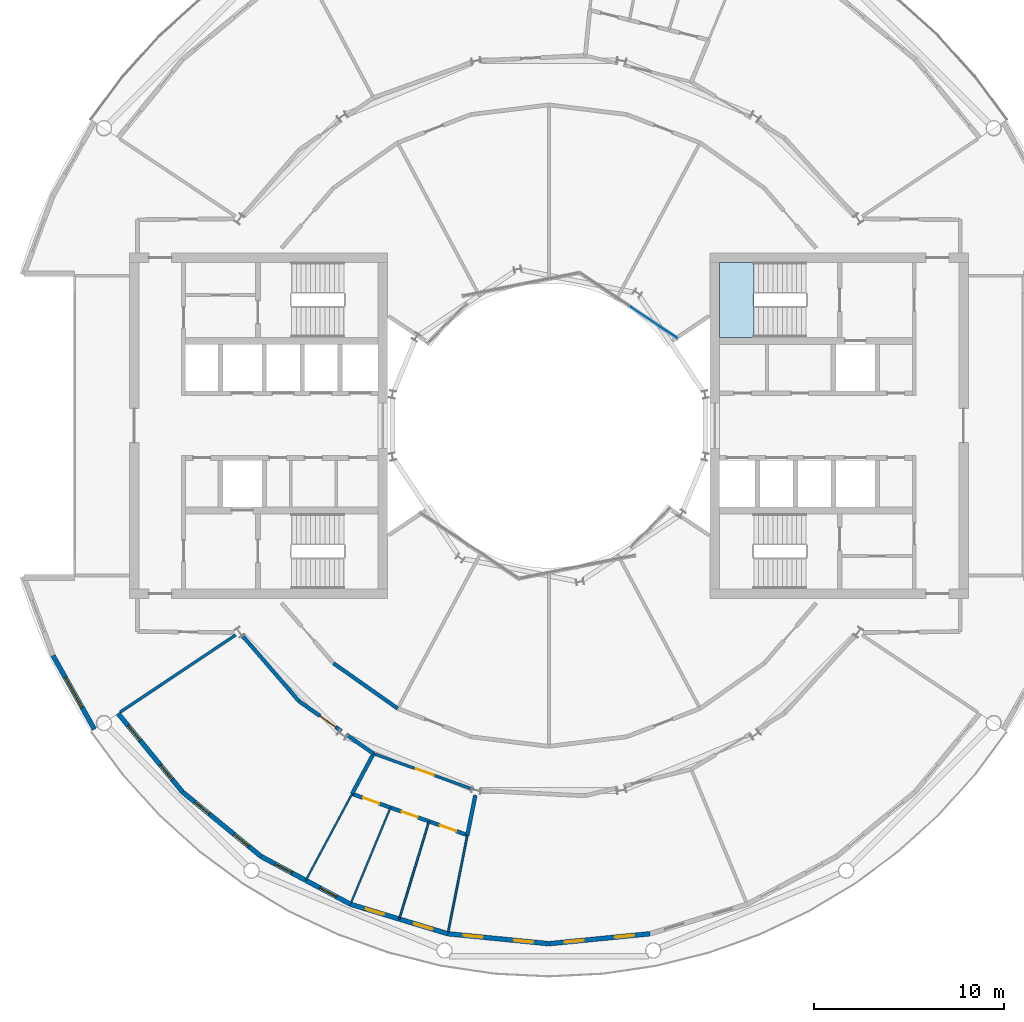
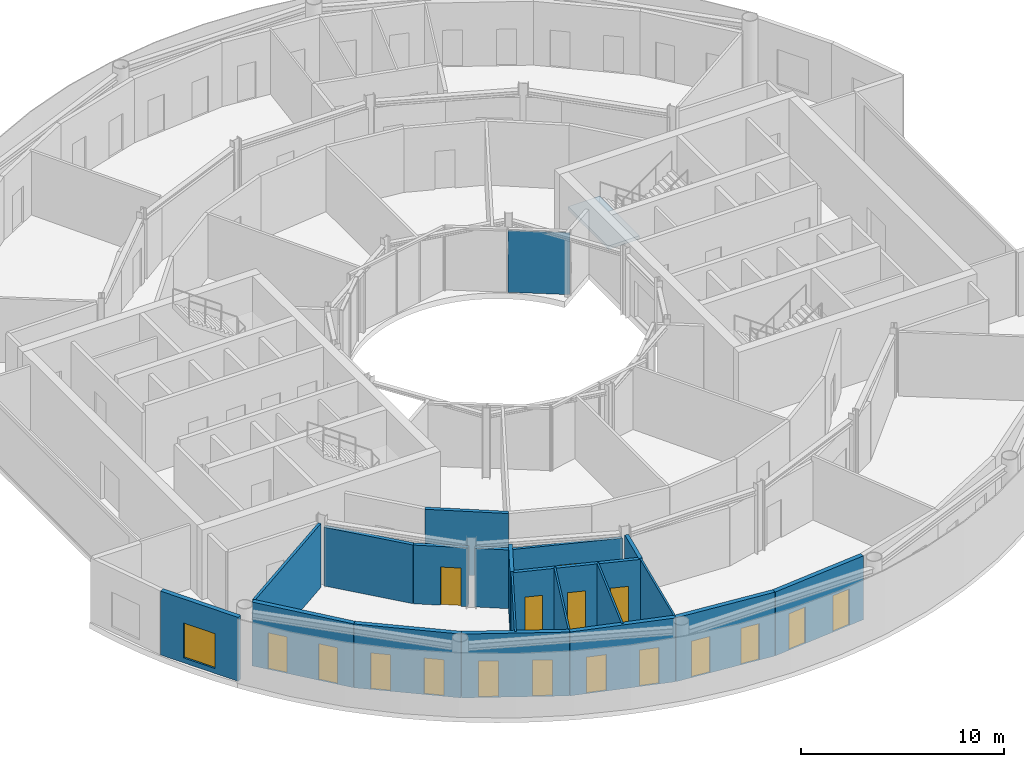
# One storey, part 12 of 21: 20 walls, 17 doors, 1 plate, 1 slab, 1 window, 18 openings, 2 elements without a shape of their own.
"""IFC4 building model written with IfcOpenShell, lengths in metres."""

import ifcopenshell
import ifcopenshell.guid

model = None  # the IFC model being written
_history = None  # IfcOwnerHistory: only IFC2X3 demands one
_inside = {}  # id of a spatial element -> (the spatial element, [elements in it])
_under = {}  # id of a project, library or spatial element -> (it, [spatial elements below it])
_declared = {}  # id of a project -> (the project, [libraries it declares])
_typed = {}  # id of a type object -> (the type object, [elements of that type])
_made_of = {}  # id of a material, layer set ... -> (it, [elements and type objects made of it])


def new_model(schema):
    """Start an empty IFC model of exactly this schema.

    Asked for "IFC4X3", IfcOpenShell would pick the latest addendum, in which some entities
    have other attributes; the version numbers below select the first issue.
    IFC2X3 requires an IfcOwnerHistory on every rooted entity: one is made here for all.
    """
    global model, _history
    if schema == "IFC4X3":
        model = ifcopenshell.file(schema_version=(4, 3, 0, 0))
    else:
        model = ifcopenshell.file(schema=schema)
    _inside.clear()
    _under.clear()
    _declared.clear()
    _typed.clear()
    _made_of.clear()
    _history = None
    if model.schema == "IFC2X3":
        org = make("IfcOrganization", Name="unknown")
        user = make(
            "IfcPersonAndOrganization",
            ThePerson=make("IfcPerson", FamilyName="unknown"),
            TheOrganization=org,
        )
        app = make(
            "IfcApplication",
            ApplicationDeveloper=org,
            Version="unknown",
            ApplicationFullName="unknown",
            ApplicationIdentifier="unknown",
        )
        _history = make(
            "IfcOwnerHistory",
            OwningUser=user,
            OwningApplication=app,
            ChangeAction="ADDED",
            CreationDate=0,
        )
    return model


def make(cls, **values):
    """One entity of the class cls with the attributes given. An attribute that is None is left unset."""
    return model.create_entity(
        cls, **{name: value for name, value in values.items() if value is not None}
    )


def rooted(cls, **values):
    """An entity with a GlobalId (a new one), such as an element, a storey or a relation."""
    return make(cls, GlobalId=ifcopenshell.guid.new(), OwnerHistory=_history, **values)


def si_unit(unit_type, name, prefix=None):
    """IfcSIUnit, for example si_unit("LENGTHUNIT", "METRE", prefix="MILLI")."""
    return make("IfcSIUnit", UnitType=unit_type, Prefix=prefix, Name=name)


def assignment(units):
    """IfcUnitAssignment: the units of a project."""
    return None if units is None else make("IfcUnitAssignment", Units=units)


def point(xyz):
    """IfcCartesianPoint."""
    return None if xyz is None else make("IfcCartesianPoint", Coordinates=xyz)


def direction(xyz):
    """IfcDirection."""
    return None if xyz is None else make("IfcDirection", DirectionRatios=xyz)


def frame(location, z_axis=None, x_axis=None):
    """IfcAxis2Placement3D, a coordinate frame: its origin and axes. An axis left out is left unset."""
    return make(
        "IfcAxis2Placement3D",
        Location=point(location),
        Axis=direction(z_axis),
        RefDirection=direction(x_axis),
    )


def frame_2d(location, x_axis=None):
    """IfcAxis2Placement2D, a coordinate frame in the plane: its origin and x axis."""
    return make(
        "IfcAxis2Placement2D", Location=point(location), RefDirection=direction(x_axis)
    )


def origin():
    """The frame at (0, 0, 0) with its axes left unset."""
    return frame((0.0, 0.0, 0.0))


def origin_2d():
    """The frame at (0, 0) in the plane with its x axis left unset."""
    return frame_2d((0.0, 0.0))


def place(relative_to, where):
    """IfcLocalPlacement: puts the frame where relative to a parent placement (None: the world)."""
    return make(
        "IfcLocalPlacement", PlacementRelTo=relative_to, RelativePlacement=where
    )


def context(
    kind, dimensions, precision=None, world=None, true_north=None, identifier=None
):
    """IfcGeometricRepresentationContext, for example the 3D "Model" context."""
    return make(
        "IfcGeometricRepresentationContext",
        ContextIdentifier=identifier,
        ContextType=kind,
        CoordinateSpaceDimension=dimensions,
        Precision=precision,
        WorldCoordinateSystem=world,
        TrueNorth=true_north,
    )


def subcontext(parent, identifier, kind, view, scale=None):
    """IfcGeometricRepresentationSubContext, for example "Body" below "Model"."""
    return make(
        "IfcGeometricRepresentationSubContext",
        ContextIdentifier=identifier,
        ContextType=kind,
        ParentContext=parent,
        TargetScale=scale,
        TargetView=view,
    )


def project(units=None, contexts=None):
    """IfcProject with its units and contexts."""
    return rooted(
        "IfcProject",
        Name="project",
        RepresentationContexts=contexts,
        UnitsInContext=assignment(units),
    )


def spatial(cls, under=None, at=None, **own):
    """A site, building, storey or space (cls), placed at a placement, below another one or the project."""
    s = rooted(cls, ObjectPlacement=at, **own)
    if under is not None:
        _under.setdefault(under.id(), (under, []))[1].append(s)
    return s


def polyline(points):
    """IfcPolyline through the points."""
    return make("IfcPolyline", Points=[point(p) for p in points])


def profile(cls, at=None, kind="AREA", **sizes):
    """A parametric profile (cls). Its sizes go by their IFC names, for example OverallWidth=200.0."""
    return make(cls, ProfileType=kind, Position=at, **sizes)


def rectangle(**sizes):
    """IfcRectangleProfileDef."""
    return profile("IfcRectangleProfileDef", **sizes)


def outline(outer, holes=None, kind="AREA"):
    """IfcArbitraryClosedProfileDef: a profile drawn as a closed curve; with holes, ...WithVoids."""
    if holes is None:
        return make("IfcArbitraryClosedProfileDef", ProfileType=kind, OuterCurve=outer)
    return make(
        "IfcArbitraryProfileDefWithVoids",
        ProfileType=kind,
        OuterCurve=outer,
        InnerCurves=holes,
    )


def extrude(swept, where, along, depth):
    """IfcExtrudedAreaSolid: the profile swept, set in the frame where, extruded along a direction by depth."""
    return make(
        "IfcExtrudedAreaSolid",
        SweptArea=swept,
        Position=where,
        ExtrudedDirection=direction(along),
        Depth=depth,
    )


def shape(context_of_items, identifier, shape_type, items):
    """IfcShapeRepresentation: the items that make up one representation, for example the "Body"."""
    return make(
        "IfcShapeRepresentation",
        ContextOfItems=context_of_items,
        RepresentationIdentifier=identifier,
        RepresentationType=shape_type,
        Items=items,
    )


def material(Name=None, Category=None):
    """IfcMaterial."""
    return make("IfcMaterial", Name=Name, Category=Category)


def layer(
    of_material, thickness, ventilated=None, Name=None, Category=None, Priority=None
):
    """IfcMaterialLayer: one layer of a wall or slab, of a material (None: an air gap)."""
    return make(
        "IfcMaterialLayer",
        Material=of_material,
        LayerThickness=thickness,
        IsVentilated=ventilated,
        Name=Name,
        Category=Category,
        Priority=Priority,
    )


def layer_set(layers, Name=None):
    """IfcMaterialLayerSet."""
    return make("IfcMaterialLayerSet", MaterialLayers=layers, LayerSetName=Name)


def made_of(thing, what):
    """Note that an element or type object is made of a material, layer set ...; save() writes the relation."""
    if what is not None:
        _made_of.setdefault(what.id(), (what, []))[1].append(thing)
    return thing


def type_object(cls, material=None, **own):
    """A type object (cls), such as IfcWallType, which elements share."""
    return made_of(rooted(cls, **own), material)


def element(
    cls,
    number,
    at=None,
    inside=None,
    cuts=None,
    type_object=None,
    material=None,
    context=None,
    identifier="Body",
    shape_type=None,
    held_by="IfcProductDefinitionShape",
    body=None,
    shapes=None,
    **own,
):
    """One element of the class cls, such as IfcWall. Its Tag is "e" and its number.

    at: its placement. inside: the storey or other place that contains it. cuts: it is an
    opening in that element (IfcRelVoidsElement). A single representation is given by context,
    identifier, shape_type and body (its items); several are given by shapes. held_by: the class
    of the entity that holds the representations. save() writes the other relations.
    """
    e = rooted(cls, Tag="e%d" % number, ObjectPlacement=at, **own)
    if body is not None:
        shapes = [shape(context, identifier, shape_type, body)]
    if shapes is not None:
        e.Representation = make(held_by, Representations=shapes)
    if inside is not None:
        _inside.setdefault(inside.id(), (inside, []))[1].append(e)
    if cuts is not None:
        rooted(
            "IfcRelVoidsElement", RelatingBuildingElement=cuts, RelatedOpeningElement=e
        )
    if type_object is not None:
        _typed.setdefault(type_object.id(), (type_object, []))[1].append(e)
    return made_of(e, material)


def fill(opening, filler):
    """IfcRelFillsElement: the door or window that sits in an opening."""
    return rooted(
        "IfcRelFillsElement",
        RelatingOpeningElement=opening,
        RelatedBuildingElement=filler,
    )


def aggregate(whole, parts):
    """IfcRelAggregates: a whole, such as a stair, and the parts it consists of."""
    return rooted("IfcRelAggregates", RelatingObject=whole, RelatedObjects=parts)


def save(model, path):
    """Write the relations noted so far, then the file.

    IfcRelAggregates (storeys below a building ...), IfcRelContainedInSpatialStructure (elements
    in a storey), IfcRelDefinesByType, IfcRelAssociatesMaterial and IfcRelDeclares: one each for
    every whole, place, type object, material and project.
    """
    for whole, parts in _under.values():
        aggregate(whole, parts)
    for where, things in _inside.values():
        rooted(
            "IfcRelContainedInSpatialStructure",
            RelatedElements=things,
            RelatingStructure=where,
        )
    for kind, things in _typed.values():
        rooted("IfcRelDefinesByType", RelatedObjects=things, RelatingType=kind)
    for what, things in _made_of.values():
        rooted("IfcRelAssociatesMaterial", RelatedObjects=things, RelatingMaterial=what)
    for by, libraries in _declared.values():
        rooted("IfcRelDeclares", RelatingContext=by, RelatedDefinitions=libraries)
    model.write(path)


model = new_model("IFC4")

# Units and contexts
model_context = context("Model", 3, precision=1e-05, world=origin(), true_north=direction((0.0, 1.0)))
body_context = subcontext(model_context, "Body", "Model", "MODEL_VIEW")
ifc_project = project(units=[si_unit("LENGTHUNIT", "METRE"), si_unit("AREAUNIT", "SQUARE_METRE"), si_unit("VOLUMEUNIT", "CUBIC_METRE"), si_unit("PLANEANGLEUNIT", "RADIAN"), si_unit("MASSUNIT", "GRAM", prefix="KILO")], contexts=[model_context])

# Site, building, storey
site_placement = place(None, origin())
site = spatial("IfcSite", under=ifc_project, at=site_placement, CompositionType="ELEMENT")
building_placement = place(site_placement, origin())
building = spatial("IfcBuilding", under=site, at=building_placement, Name="Maasbend Ring Residences", CompositionType="ELEMENT")
storey_placement = place(building_placement, frame((0.0, 0.0, 157.39990234375)))
storey = spatial("IfcBuildingStorey", under=building, at=storey_placement, Name="L45", CompositionType="ELEMENT", Elevation=157.39990234375)

# Stair, slab
ifc_material_1 = material(Name="Concrete C40/50", Category="concrete")
stair_type = type_object("IfcStairType", Name="CORE STAIR 24 RISERS", PredefinedType="HALF_TURN_STAIR", material=ifc_material_1)
stair_placement = place(storey_placement, origin())
stair = element("IfcStair", 1, at=stair_placement, inside=storey, type_object=stair_type, Name="L45 Exit stair ST-E1", PredefinedType="HALF_TURN_STAIR")
ifc_material_2 = material(Name="Concrete C40/50", Category="concrete")
ifc_layer_1 = layer(ifc_material_2, 0.199951171875)
ifc_layer_set_1 = layer_set([ifc_layer_1], Name="Concrete C40/50")
slab_type = type_object("IfcSlabType", Name="CORE STAIR LANDING 200", PredefinedType="LANDING", material=ifc_layer_set_1)
slab_placement = place(storey_placement, frame((0.0, 0.0, 1.900146484375)))
slab = element("IfcSlab", 2, at=slab_placement, type_object=slab_type, Name="ST-E1 landing 1", PredefinedType="LANDING", context=body_context, shape_type="SweptSolid", body=[
    extrude(outline(polyline([(10.800048828125, 8.60009765625), (9.0, 8.60009765625), (9.0, 4.64990234375), (10.800048828125, 4.64990234375), (10.800048828125, 8.60009765625)])), origin(), (0.0, 0.0, 1.0), 0.199951171875),
])
aggregate(stair, [slab])

# Curtain wall, plate
ifc_material_3 = material(Name="Aluminium and clear glass", Category="aluminium")
ifc_layer_2 = layer(ifc_material_3, 0.179931640625)
ifc_layer_set_2 = layer_set([ifc_layer_2], Name="CW-W")
curtain_wall_type = type_object("IfcCurtainWallType", Name="CW-W", PredefinedType="NOTDEFINED", material=ifc_layer_set_2)
curtain_wall_placement = place(storey_placement, origin())
curtain_wall = element("IfcCurtainWall", 3, at=curtain_wall_placement, inside=storey, type_object=curtain_wall_type, Name="Well curtain wall N1", PredefinedType="NOTDEFINED")
ifc_material_4 = material(Name="Glass clear laminated", Category="glass")
ifc_layer_3 = layer(ifc_material_4, 0.031982421875)
ifc_layer_set_3 = layer_set([ifc_layer_3], Name="CWP-W")
plate_type = type_object("IfcPlateType", Name="CWP-W", PredefinedType="CURTAIN_PANEL", material=ifc_layer_set_3)
plate_placement = place(storey_placement, frame((5.51123046875, 5.44580078125, 0.0), z_axis=(0.0, 0.0, 1.0), x_axis=(-0.831469612303, 0.55557023302, 0.0)))
plate = element("IfcPlate", 4, at=plate_placement, type_object=plate_type, Name="Glass panel well face", PredefinedType="CURTAIN_PANEL", context=body_context, shape_type="SweptSolid", body=[
    extrude(rectangle(XDim=3.053955078125, YDim=0.031982421875, at=origin_2d()), origin(), (0.0, 0.0, 1.0), 3.72998046875),
])
aggregate(curtain_wall, [plate])

# Wall, openings, doors
ifc_material_5 = material(Name="Concrete C30/37", Category="concrete")
ifc_layer_4 = layer(ifc_material_5, 0.199951171875)
ifc_layer_set_4 = layer_set([ifc_layer_4], Name="Concrete C30/37")
wall_type_1 = type_object("IfcWallType", Name="CORRIDOR WALL 200 CONCRETE", PredefinedType="PARTITIONING", material=ifc_layer_set_4)
wall_1_placement = place(storey_placement, frame((-10.373046875, -19.40087890625, 0.0), z_axis=(0.0, 0.0, 1.0), x_axis=(0.941534771306, -0.336915826909, 0.0)))
wall_1 = element("IfcWall", 5, at=wall_1_placement, inside=storey, type_object=wall_type_1, Name="U-L45-w001", PredefinedType="PARTITIONING", context=body_context, shape_type="SweptSolid", body=[
    extrude(rectangle(XDim=6.458740234375, YDim=0.199951171875, at=frame_2d((3.2294921875, 0.0))), origin(), (0.0, 0.0, 1.0), 3.85009765625),
])
opening_1_placement = place(wall_1_placement, frame((0.626953125, 0.0, 0.0)))
opening_1 = element("IfcOpeningElement", 6, at=opening_1_placement, cuts=wall_1, Name="Opening D-4506", PredefinedType="OPENING", context=body_context, shape_type="SweptSolid", body=[
    extrude(rectangle(XDim=0.89990234375, YDim=2.300048828125, at=frame_2d((0.449951171875, 1.14990234375))), frame((0.0, 0.10986328125, 0.0), z_axis=(0.0, -1.0, 0.0), x_axis=(1.0, 0.0, 0.0)), (0.0, 0.0, 1.0), 0.219970703125),
])
opening_2_placement = place(wall_1_placement, frame((2.781005859375, 0.0, 0.0)))
opening_2 = element("IfcOpeningElement", 7, at=opening_2_placement, cuts=wall_1, Name="Opening D-4507", PredefinedType="OPENING", context=body_context, shape_type="SweptSolid", body=[
    extrude(rectangle(XDim=0.89990234375, YDim=2.300048828125, at=frame_2d((0.449951171875, 1.14990234375))), frame((0.0, 0.10986328125, 0.0), z_axis=(0.0, -1.0, 0.0), x_axis=(1.0, 0.0, 0.0)), (0.0, 0.0, 1.0), 0.219970703125),
])
opening_3_placement = place(wall_1_placement, frame((4.93310546875, 0.0, 0.0)))
opening_3 = element("IfcOpeningElement", 8, at=opening_3_placement, cuts=wall_1, Name="Opening D-4508", PredefinedType="OPENING", context=body_context, shape_type="SweptSolid", body=[
    extrude(rectangle(XDim=0.89990234375, YDim=2.300048828125, at=frame_2d((0.449951171875, 1.14990234375))), frame((0.0, 0.10986328125, 0.0), z_axis=(0.0, -1.0, 0.0), x_axis=(1.0, 0.0, 0.0)), (0.0, 0.0, 1.0), 0.219970703125),
])
ifc_material_6 = material(Name="Timber, painted", Category="wood")
door_type_1 = type_object("IfcDoorType", Name="INTERNAL DOOR 900 X 2300", OperationType="NOTDEFINED", PredefinedType="DOOR", material=ifc_material_6)
door_1_placement = place(opening_1_placement, origin())
door_1 = element("IfcDoor", 9, at=door_1_placement, inside=storey, type_object=door_type_1, Name="D-4506", OperationType="SINGLE_SWING_LEFT", OverallHeight=2.300048828125, OverallWidth=0.89990234375, PredefinedType="DOOR", context=body_context, shape_type="SweptSolid", body=[
    extrude(rectangle(XDim=0.89990234375, YDim=2.300048828125, at=frame_2d((0.449951171875, 1.14990234375))), frame((0.0, 0.02490234375, 0.0), z_axis=(0.0, -1.0, 0.0), x_axis=(1.0, 0.0, 0.0)), (0.0, 0.0, 1.0), 0.050048828125),
])
fill(opening_1, door_1)
door_2_placement = place(opening_2_placement, origin())
door_2 = element("IfcDoor", 10, at=door_2_placement, inside=storey, type_object=door_type_1, Name="D-4507", OperationType="SINGLE_SWING_RIGHT", OverallHeight=2.300048828125, OverallWidth=0.89990234375, PredefinedType="DOOR", context=body_context, shape_type="SweptSolid", body=[
    extrude(rectangle(XDim=0.89990234375, YDim=2.300048828125, at=frame_2d((0.449951171875, 1.14990234375))), frame((0.0, 0.02490234375, 0.0), z_axis=(0.0, -1.0, 0.0), x_axis=(1.0, 0.0, 0.0)), (0.0, 0.0, 1.0), 0.050048828125),
])
fill(opening_2, door_2)
door_3_placement = place(opening_3_placement, origin())
door_3 = element("IfcDoor", 11, at=door_3_placement, inside=storey, type_object=door_type_1, Name="D-4508", OperationType="SINGLE_SWING_RIGHT", OverallHeight=2.300048828125, OverallWidth=0.89990234375, PredefinedType="DOOR", context=body_context, shape_type="SweptSolid", body=[
    extrude(rectangle(XDim=0.89990234375, YDim=2.300048828125, at=frame_2d((0.449951171875, 1.14990234375))), frame((0.0, 0.02490234375, 0.0), z_axis=(0.0, -1.0, 0.0), x_axis=(1.0, 0.0, 0.0)), (0.0, 0.0, 1.0), 0.050048828125),
])
fill(opening_3, door_3)

# Wall
wall_2_placement = place(storey_placement, frame((-16.197998046875, -11.00390625, 0.0), z_axis=(0.0, 0.0, 1.0), x_axis=(0.653094461639, -0.757276451619, 0.0)))
element("IfcWall", 12, at=wall_2_placement, inside=storey, type_object=wall_type_1, Name="U-L45-w004", PredefinedType="PARTITIONING", context=body_context, shape_type="SweptSolid", body=[
    extrude(rectangle(XDim=4.64697265625, YDim=0.199951171875, at=frame_2d((2.323486328125, 0.0))), origin(), (0.0, 0.0, 1.0), 3.5400390625),
])

# Wall, opening, door
wall_3_placement = place(storey_placement, frame((-13.1630859375, -14.52294921875, 0.0), z_axis=(0.0, 0.0, 1.0), x_axis=(0.817664396292, -0.57569517545, 0.0)))
wall_3 = element("IfcWall", 13, at=wall_3_placement, inside=storey, type_object=wall_type_1, Name="U-L45-w005", PredefinedType="PARTITIONING", context=body_context, shape_type="SweptSolid", body=[
    extrude(rectangle(XDim=2.727294921875, YDim=0.199951171875, at=frame_2d((1.36376953125, 0.0))), origin(), (0.0, 0.0, 1.0), 3.5400390625),
])
opening_4_placement = place(wall_3_placement, frame((1.35009765625, 0.0, 0.0)))
opening_4 = element("IfcOpeningElement", 14, at=opening_4_placement, cuts=wall_3, Name="Opening D-4516", PredefinedType="OPENING", context=body_context, shape_type="SweptSolid", body=[
    extrude(rectangle(XDim=1.0, YDim=2.300048828125, at=frame_2d((0.5, 1.14990234375))), frame((0.0, 0.10986328125, 0.0), z_axis=(0.0, -1.0, 0.0), x_axis=(1.0, 0.0, 0.0)), (0.0, 0.0, 1.0), 0.219970703125),
])
ifc_material_7 = material(Name="Timber, painted", Category="wood")
door_type_2 = type_object("IfcDoorType", Name="ROOM DOOR 1000 X 2300", OperationType="NOTDEFINED", PredefinedType="DOOR", material=ifc_material_7)
door_4_placement = place(opening_4_placement, origin())
door_4 = element("IfcDoor", 15, at=door_4_placement, inside=storey, type_object=door_type_2, Name="D-4516", OperationType="SINGLE_SWING_RIGHT", OverallHeight=2.300048828125, OverallWidth=1.0, PredefinedType="DOOR", context=body_context, shape_type="SweptSolid", body=[
    extrude(rectangle(XDim=1.0, YDim=2.300048828125, at=frame_2d((0.5, 1.14990234375))), frame((0.0, 0.02490234375, 0.0), z_axis=(0.0, -1.0, 0.0), x_axis=(1.0, 0.0, 0.0)), (0.0, 0.0, 1.0), 0.050048828125),
])
fill(opening_4, door_4)

# Walls
wall_4_placement = place(storey_placement, frame((-10.68798828125, -16.26611328125, 0.0), z_axis=(0.0, 0.0, 1.0), x_axis=(0.817772792535, -0.575541188613, 0.0)))
element("IfcWall", 16, at=wall_4_placement, inside=storey, type_object=wall_type_1, Name="U-L45-w006", PredefinedType="PARTITIONING", context=body_context, shape_type="SweptSolid", body=[
    extrude(rectangle(XDim=1.77197265625, YDim=0.199951171875, at=frame_2d((0.885986328125, 0.0))), origin(), (0.0, 0.0, 1.0), 3.5400390625),
])
wall_5_placement = place(storey_placement, frame((-11.34912109375, -12.52197265625, 0.0), z_axis=(0.0, 0.0, 1.0), x_axis=(0.817567680547, -0.575832517079, 0.0)))
element("IfcWall", 17, at=wall_5_placement, inside=storey, type_object=wall_type_1, Name="U-L45-w015", PredefinedType="PARTITIONING", context=body_context, shape_type="SweptSolid", body=[
    extrude(rectangle(XDim=4.13671875, YDim=0.199951171875, at=frame_2d((2.068359375, 0.0))), origin(), (0.0, 0.0, 1.0), 3.85009765625),
])
wall_6_placement = place(storey_placement, frame((-10.3701171875, -19.402099609375, 0.0), z_axis=(0.0, 0.0, 1.0), x_axis=(0.471385457832, 0.881927293004, 0.0)))
element("IfcWall", 18, at=wall_6_placement, inside=storey, type_object=wall_type_1, Name="U-L45-w031", PredefinedType="PARTITIONING", context=body_context, shape_type="SweptSolid", body=[
    extrude(rectangle(XDim=2.3994140625, YDim=0.199951171875, at=frame_2d((1.19970703125, 0.0))), origin(), (0.0, 0.0, 1.0), 3.85009765625),
])
wall_7_placement = place(storey_placement, frame((-4.2919921875, -21.576904296875, 0.0), z_axis=(0.0, 0.0, 1.0), x_axis=(0.194936308723, 0.980815902981, 0.0)))
element("IfcWall", 19, at=wall_7_placement, inside=storey, type_object=wall_type_1, Name="U-L45-w036", PredefinedType="PARTITIONING", context=body_context, shape_type="SweptSolid", body=[
    extrude(rectangle(XDim=2.149169921875, YDim=0.199951171875, at=frame_2d((1.07470703125, 0.0))), origin(), (0.0, 0.0, 1.0), 3.85009765625),
])

# Wall, openings, doors
ifc_material_8 = material(Name="Aluminium clad insulated panel", Category="aluminium")
ifc_layer_5 = layer(ifc_material_8, 0.25)
ifc_layer_set_5 = layer_set([ifc_layer_5], Name="EW-GL")
wall_type_2 = type_object("IfcWallType", Name="EW-GL", PredefinedType="SOLIDWALL", material=ifc_layer_set_5)
wall_8_placement = place(storey_placement, frame((-22.698974609375, -15.1669921875, 0.0), z_axis=(0.0, 0.0, 1.0), x_axis=(0.634382322723, -0.773019449054, 0.0)))
wall_8 = element("IfcWall", 20, at=wall_8_placement, inside=storey, type_object=wall_type_2, Name="External wall S01", PredefinedType="SOLIDWALL", context=body_context, shape_type="SweptSolid", body=[
    extrude(rectangle(XDim=5.351806640625, YDim=0.25, at=frame_2d((2.67578125, 0.0))), origin(), (0.0, 0.0, 1.0), 3.85009765625),
])
opening_5_placement = place(wall_8_placement, frame((0.841064453125, 0.0, 0.0)))
opening_5 = element("IfcOpeningElement", 21, at=opening_5_placement, cuts=wall_8, Name="Opening D-LG", PredefinedType="OPENING", context=body_context, shape_type="SweptSolid", body=[
    extrude(rectangle(XDim=1.0, YDim=2.199951171875, at=frame_2d((0.5, 1.10009765625))), frame((0.0, 0.135009765625, 0.0), z_axis=(0.0, -1.0, 0.0), x_axis=(1.0, 0.0, 0.0)), (0.0, 0.0, 1.0), 0.27001953125),
])
opening_6_placement = place(wall_8_placement, frame((3.510498046875, 0.0, 0.0)))
opening_6 = element("IfcOpeningElement", 22, at=opening_6_placement, cuts=wall_8, Name="Opening D-LG", PredefinedType="OPENING", context=body_context, shape_type="SweptSolid", body=[
    extrude(rectangle(XDim=1.0, YDim=2.199951171875, at=frame_2d((0.5, 1.10009765625))), frame((0.0, 0.135009765625, 0.0), z_axis=(0.0, -1.0, 0.0), x_axis=(1.0, 0.0, 0.0)), (0.0, 0.0, 1.0), 0.27001953125),
])
ifc_material_9 = material(Name="Aluminium and clear glass", Category="aluminium")
door_type_3 = type_object("IfcDoorType", Name="D-LG", OperationType="SINGLE_SWING_LEFT", PredefinedType="DOOR", material=ifc_material_9)
door_5_placement = place(opening_5_placement, origin())
door_5 = element("IfcDoor", 23, at=door_5_placement, inside=storey, type_object=door_type_3, Name="Loggia door S01", OperationType="SINGLE_SWING_LEFT", OverallHeight=2.199951171875, OverallWidth=1.0, PredefinedType="DOOR", context=body_context, shape_type="SweptSolid", body=[
    extrude(rectangle(XDim=1.0, YDim=2.199951171875, at=frame_2d((0.5, 1.10009765625))), frame((0.0, 0.02490234375, 0.0), z_axis=(0.0, -1.0, 0.0), x_axis=(1.0, 0.0, 0.0)), (0.0, 0.0, 1.0), 0.050048828125),
])
fill(opening_5, door_5)
door_6_placement = place(opening_6_placement, origin())
door_6 = element("IfcDoor", 24, at=door_6_placement, inside=storey, type_object=door_type_3, Name="Loggia door S02", OperationType="SINGLE_SWING_LEFT", OverallHeight=2.199951171875, OverallWidth=1.0, PredefinedType="DOOR", context=body_context, shape_type="SweptSolid", body=[
    extrude(rectangle(XDim=1.0, YDim=2.199951171875, at=frame_2d((0.5, 1.10009765625))), frame((0.0, 0.02490234375, 0.0), z_axis=(0.0, -1.0, 0.0), x_axis=(1.0, 0.0, 0.0)), (0.0, 0.0, 1.0), 0.050048828125),
])
fill(opening_6, door_6)

wall_9_placement = place(storey_placement, frame((-19.303955078125, -19.303955078125, 0.0), z_axis=(0.0, 0.0, 1.0), x_axis=(0.773019449054, -0.634382322723, 0.0)))
wall_9 = element("IfcWall", 25, at=wall_9_placement, inside=storey, type_object=wall_type_2, Name="External wall S02", PredefinedType="SOLIDWALL", context=body_context, shape_type="SweptSolid", body=[
    extrude(rectangle(XDim=5.351806640625, YDim=0.25, at=frame_2d((2.67578125, 0.0))), origin(), (0.0, 0.0, 1.0), 3.85009765625),
])
opening_7_placement = place(wall_9_placement, frame((0.841064453125, 0.0, 0.0)))
opening_7 = element("IfcOpeningElement", 26, at=opening_7_placement, cuts=wall_9, Name="Opening D-LG", PredefinedType="OPENING", context=body_context, shape_type="SweptSolid", body=[
    extrude(rectangle(XDim=1.0, YDim=2.199951171875, at=frame_2d((0.5, 1.10009765625))), frame((0.0, 0.135009765625, 0.0), z_axis=(0.0, -1.0, 0.0), x_axis=(1.0, 0.0, 0.0)), (0.0, 0.0, 1.0), 0.27001953125),
])
opening_8_placement = place(wall_9_placement, frame((3.510498046875, 0.0, 0.0)))
opening_8 = element("IfcOpeningElement", 27, at=opening_8_placement, cuts=wall_9, Name="Opening D-LG", PredefinedType="OPENING", context=body_context, shape_type="SweptSolid", body=[
    extrude(rectangle(XDim=1.0, YDim=2.199951171875, at=frame_2d((0.5, 1.10009765625))), frame((0.0, 0.135009765625, 0.0), z_axis=(0.0, -1.0, 0.0), x_axis=(1.0, 0.0, 0.0)), (0.0, 0.0, 1.0), 0.27001953125),
])
door_7_placement = place(opening_7_placement, origin())
door_7 = element("IfcDoor", 28, at=door_7_placement, inside=storey, type_object=door_type_3, Name="Loggia door S03", OperationType="SINGLE_SWING_LEFT", OverallHeight=2.199951171875, OverallWidth=1.0, PredefinedType="DOOR", context=body_context, shape_type="SweptSolid", body=[
    extrude(rectangle(XDim=1.0, YDim=2.199951171875, at=frame_2d((0.5, 1.10009765625))), frame((0.0, 0.02490234375, 0.0), z_axis=(0.0, -1.0, 0.0), x_axis=(1.0, 0.0, 0.0)), (0.0, 0.0, 1.0), 0.050048828125),
])
fill(opening_7, door_7)
door_8_placement = place(opening_8_placement, origin())
door_8 = element("IfcDoor", 29, at=door_8_placement, inside=storey, type_object=door_type_3, Name="Loggia door S04", OperationType="SINGLE_SWING_LEFT", OverallHeight=2.199951171875, OverallWidth=1.0, PredefinedType="DOOR", context=body_context, shape_type="SweptSolid", body=[
    extrude(rectangle(XDim=1.0, YDim=2.199951171875, at=frame_2d((0.5, 1.10009765625))), frame((0.0, 0.02490234375, 0.0), z_axis=(0.0, -1.0, 0.0), x_axis=(1.0, 0.0, 0.0)), (0.0, 0.0, 1.0), 0.050048828125),
])
fill(opening_8, door_8)

wall_10_placement = place(storey_placement, frame((-15.1669921875, -22.698974609375, 0.0), z_axis=(0.0, 0.0, 1.0), x_axis=(0.881915646801, -0.471407246368, 0.0)))
wall_10 = element("IfcWall", 30, at=wall_10_placement, inside=storey, type_object=wall_type_2, Name="External wall S03", PredefinedType="SOLIDWALL", context=body_context, shape_type="SweptSolid", body=[
    extrude(rectangle(XDim=5.35205078125, YDim=0.25, at=frame_2d((2.676025390625, 0.0))), origin(), (0.0, 0.0, 1.0), 3.85009765625),
])
opening_9_placement = place(wall_10_placement, frame((0.841064453125, 0.0, 0.0)))
opening_9 = element("IfcOpeningElement", 31, at=opening_9_placement, cuts=wall_10, Name="Opening D-LG", PredefinedType="OPENING", context=body_context, shape_type="SweptSolid", body=[
    extrude(rectangle(XDim=1.0, YDim=2.199951171875, at=frame_2d((0.5, 1.10009765625))), frame((0.0, 0.135009765625, 0.0), z_axis=(0.0, -1.0, 0.0), x_axis=(1.0, 0.0, 0.0)), (0.0, 0.0, 1.0), 0.27001953125),
])
opening_10_placement = place(wall_10_placement, frame((3.510498046875, 0.0, 0.0)))
opening_10 = element("IfcOpeningElement", 32, at=opening_10_placement, cuts=wall_10, Name="Opening D-LG", PredefinedType="OPENING", context=body_context, shape_type="SweptSolid", body=[
    extrude(rectangle(XDim=1.0, YDim=2.199951171875, at=frame_2d((0.5, 1.10009765625))), frame((0.0, 0.135009765625, 0.0), z_axis=(0.0, -1.0, 0.0), x_axis=(1.0, 0.0, 0.0)), (0.0, 0.0, 1.0), 0.27001953125),
])
door_9_placement = place(opening_9_placement, origin())
door_9 = element("IfcDoor", 33, at=door_9_placement, inside=storey, type_object=door_type_3, Name="Loggia door S05", OperationType="SINGLE_SWING_LEFT", OverallHeight=2.199951171875, OverallWidth=1.0, PredefinedType="DOOR", context=body_context, shape_type="SweptSolid", body=[
    extrude(rectangle(XDim=1.0, YDim=2.199951171875, at=frame_2d((0.5, 1.10009765625))), frame((0.0, 0.02490234375, 0.0), z_axis=(0.0, -1.0, 0.0), x_axis=(1.0, 0.0, 0.0)), (0.0, 0.0, 1.0), 0.050048828125),
])
fill(opening_9, door_9)
door_10_placement = place(opening_10_placement, origin())
door_10 = element("IfcDoor", 34, at=door_10_placement, inside=storey, type_object=door_type_3, Name="Loggia door S06", OperationType="SINGLE_SWING_LEFT", OverallHeight=2.199951171875, OverallWidth=1.0, PredefinedType="DOOR", context=body_context, shape_type="SweptSolid", body=[
    extrude(rectangle(XDim=1.0, YDim=2.199951171875, at=frame_2d((0.5, 1.10009765625))), frame((0.0, 0.02490234375, 0.0), z_axis=(0.0, -1.0, 0.0), x_axis=(1.0, 0.0, 0.0)), (0.0, 0.0, 1.0), 0.050048828125),
])
fill(opening_10, door_10)

wall_11_placement = place(storey_placement, frame((-10.447021484375, -25.221923828125, 0.0), z_axis=(0.0, 0.0, 1.0), x_axis=(0.956965678721, -0.290201119486, 0.0)))
wall_11 = element("IfcWall", 35, at=wall_11_placement, inside=storey, type_object=wall_type_2, Name="External wall S04", PredefinedType="SOLIDWALL", context=body_context, shape_type="SweptSolid", body=[
    extrude(rectangle(XDim=5.351318359375, YDim=0.25, at=frame_2d((2.67578125, 0.0))), origin(), (0.0, 0.0, 1.0), 3.85009765625),
])
opening_11_placement = place(wall_11_placement, frame((0.841064453125, 0.0, 0.0)))
opening_11 = element("IfcOpeningElement", 36, at=opening_11_placement, cuts=wall_11, Name="Opening D-LG", PredefinedType="OPENING", context=body_context, shape_type="SweptSolid", body=[
    extrude(rectangle(XDim=1.0, YDim=2.199951171875, at=frame_2d((0.5, 1.10009765625))), frame((0.0, 0.135009765625, 0.0), z_axis=(0.0, -1.0, 0.0), x_axis=(1.0, 0.0, 0.0)), (0.0, 0.0, 1.0), 0.27001953125),
])
opening_12_placement = place(wall_11_placement, frame((3.510498046875, 0.0, 0.0)))
opening_12 = element("IfcOpeningElement", 37, at=opening_12_placement, cuts=wall_11, Name="Opening D-LG", PredefinedType="OPENING", context=body_context, shape_type="SweptSolid", body=[
    extrude(rectangle(XDim=1.0, YDim=2.199951171875, at=frame_2d((0.5, 1.10009765625))), frame((0.0, 0.135009765625, 0.0), z_axis=(0.0, -1.0, 0.0), x_axis=(1.0, 0.0, 0.0)), (0.0, 0.0, 1.0), 0.27001953125),
])
door_11_placement = place(opening_11_placement, origin())
door_11 = element("IfcDoor", 38, at=door_11_placement, inside=storey, type_object=door_type_3, Name="Loggia door S07", OperationType="SINGLE_SWING_LEFT", OverallHeight=2.199951171875, OverallWidth=1.0, PredefinedType="DOOR", context=body_context, shape_type="SweptSolid", body=[
    extrude(rectangle(XDim=1.0, YDim=2.199951171875, at=frame_2d((0.5, 1.10009765625))), frame((0.0, 0.02490234375, 0.0), z_axis=(0.0, -1.0, 0.0), x_axis=(1.0, 0.0, 0.0)), (0.0, 0.0, 1.0), 0.050048828125),
])
fill(opening_11, door_11)
door_12_placement = place(opening_12_placement, origin())
door_12 = element("IfcDoor", 39, at=door_12_placement, inside=storey, type_object=door_type_3, Name="Loggia door S08", OperationType="SINGLE_SWING_LEFT", OverallHeight=2.199951171875, OverallWidth=1.0, PredefinedType="DOOR", context=body_context, shape_type="SweptSolid", body=[
    extrude(rectangle(XDim=1.0, YDim=2.199951171875, at=frame_2d((0.5, 1.10009765625))), frame((0.0, 0.02490234375, 0.0), z_axis=(0.0, -1.0, 0.0), x_axis=(1.0, 0.0, 0.0)), (0.0, 0.0, 1.0), 0.050048828125),
])
fill(opening_12, door_12)

wall_12_placement = place(storey_placement, frame((-5.325927734375, -26.77490234375, 0.0), z_axis=(0.0, 0.0, 1.0), x_axis=(0.995173996315, -0.098126026407, 0.0)))
wall_12 = element("IfcWall", 40, at=wall_12_placement, inside=storey, type_object=wall_type_2, Name="External wall S05", PredefinedType="SOLIDWALL", context=body_context, shape_type="SweptSolid", body=[
    extrude(rectangle(XDim=5.351806640625, YDim=0.25, at=frame_2d((2.67578125, 0.0))), origin(), (0.0, 0.0, 1.0), 3.85009765625),
])
opening_13_placement = place(wall_12_placement, frame((0.841064453125, 0.0, 0.0)))
opening_13 = element("IfcOpeningElement", 41, at=opening_13_placement, cuts=wall_12, Name="Opening D-LG", PredefinedType="OPENING", context=body_context, shape_type="SweptSolid", body=[
    extrude(rectangle(XDim=1.0, YDim=2.199951171875, at=frame_2d((0.5, 1.10009765625))), frame((0.0, 0.135009765625, 0.0), z_axis=(0.0, -1.0, 0.0), x_axis=(1.0, 0.0, 0.0)), (0.0, 0.0, 1.0), 0.27001953125),
])
opening_14_placement = place(wall_12_placement, frame((3.510498046875, 0.0, 0.0)))
opening_14 = element("IfcOpeningElement", 42, at=opening_14_placement, cuts=wall_12, Name="Opening D-LG", PredefinedType="OPENING", context=body_context, shape_type="SweptSolid", body=[
    extrude(rectangle(XDim=1.0, YDim=2.199951171875, at=frame_2d((0.5, 1.10009765625))), frame((0.0, 0.135009765625, 0.0), z_axis=(0.0, -1.0, 0.0), x_axis=(1.0, 0.0, 0.0)), (0.0, 0.0, 1.0), 0.27001953125),
])
door_13_placement = place(opening_13_placement, origin())
door_13 = element("IfcDoor", 43, at=door_13_placement, inside=storey, type_object=door_type_3, Name="Loggia door S09", OperationType="SINGLE_SWING_LEFT", OverallHeight=2.199951171875, OverallWidth=1.0, PredefinedType="DOOR", context=body_context, shape_type="SweptSolid", body=[
    extrude(rectangle(XDim=1.0, YDim=2.199951171875, at=frame_2d((0.5, 1.10009765625))), frame((0.0, 0.02490234375, 0.0), z_axis=(0.0, -1.0, 0.0), x_axis=(1.0, 0.0, 0.0)), (0.0, 0.0, 1.0), 0.050048828125),
])
fill(opening_13, door_13)
door_14_placement = place(opening_14_placement, origin())
door_14 = element("IfcDoor", 44, at=door_14_placement, inside=storey, type_object=door_type_3, Name="Loggia door S10", OperationType="SINGLE_SWING_LEFT", OverallHeight=2.199951171875, OverallWidth=1.0, PredefinedType="DOOR", context=body_context, shape_type="SweptSolid", body=[
    extrude(rectangle(XDim=1.0, YDim=2.199951171875, at=frame_2d((0.5, 1.10009765625))), frame((0.0, 0.02490234375, 0.0), z_axis=(0.0, -1.0, 0.0), x_axis=(1.0, 0.0, 0.0)), (0.0, 0.0, 1.0), 0.050048828125),
])
fill(opening_14, door_14)

wall_13_placement = place(storey_placement, frame((0.0, -27.300048828125, 0.0), z_axis=(0.0, 0.0, 1.0), x_axis=(0.995173996315, 0.098126026407, 0.0)))
wall_13 = element("IfcWall", 45, at=wall_13_placement, inside=storey, type_object=wall_type_2, Name="External wall S06", PredefinedType="SOLIDWALL", context=body_context, shape_type="SweptSolid", body=[
    extrude(rectangle(XDim=5.351806640625, YDim=0.25, at=frame_2d((2.67578125, 0.0))), origin(), (0.0, 0.0, 1.0), 3.85009765625),
])
opening_15_placement = place(wall_13_placement, frame((0.841064453125, 0.0, 0.0)))
opening_15 = element("IfcOpeningElement", 46, at=opening_15_placement, cuts=wall_13, Name="Opening D-LG", PredefinedType="OPENING", context=body_context, shape_type="SweptSolid", body=[
    extrude(rectangle(XDim=1.0, YDim=2.199951171875, at=frame_2d((0.5, 1.10009765625))), frame((0.0, 0.135009765625, 0.0), z_axis=(0.0, -1.0, 0.0), x_axis=(1.0, 0.0, 0.0)), (0.0, 0.0, 1.0), 0.27001953125),
])
opening_16_placement = place(wall_13_placement, frame((3.510498046875, 0.0, 0.0)))
opening_16 = element("IfcOpeningElement", 47, at=opening_16_placement, cuts=wall_13, Name="Opening D-LG", PredefinedType="OPENING", context=body_context, shape_type="SweptSolid", body=[
    extrude(rectangle(XDim=1.0, YDim=2.199951171875, at=frame_2d((0.5, 1.10009765625))), frame((0.0, 0.135009765625, 0.0), z_axis=(0.0, -1.0, 0.0), x_axis=(1.0, 0.0, 0.0)), (0.0, 0.0, 1.0), 0.27001953125),
])
door_15_placement = place(opening_15_placement, origin())
door_15 = element("IfcDoor", 48, at=door_15_placement, inside=storey, type_object=door_type_3, Name="Loggia door S11", OperationType="SINGLE_SWING_LEFT", OverallHeight=2.199951171875, OverallWidth=1.0, PredefinedType="DOOR", context=body_context, shape_type="SweptSolid", body=[
    extrude(rectangle(XDim=1.0, YDim=2.199951171875, at=frame_2d((0.5, 1.10009765625))), frame((0.0, 0.02490234375, 0.0), z_axis=(0.0, -1.0, 0.0), x_axis=(1.0, 0.0, 0.0)), (0.0, 0.0, 1.0), 0.050048828125),
])
fill(opening_15, door_15)
door_16_placement = place(opening_16_placement, origin())
door_16 = element("IfcDoor", 49, at=door_16_placement, inside=storey, type_object=door_type_3, Name="Loggia door S12", OperationType="SINGLE_SWING_LEFT", OverallHeight=2.199951171875, OverallWidth=1.0, PredefinedType="DOOR", context=body_context, shape_type="SweptSolid", body=[
    extrude(rectangle(XDim=1.0, YDim=2.199951171875, at=frame_2d((0.5, 1.10009765625))), frame((0.0, 0.02490234375, 0.0), z_axis=(0.0, -1.0, 0.0), x_axis=(1.0, 0.0, 0.0)), (0.0, 0.0, 1.0), 0.050048828125),
])
fill(opening_16, door_16)

# Wall, opening, window
ifc_material_10 = material(Name="Aluminium clad insulated panel", Category="aluminium")
ifc_layer_6 = layer(ifc_material_10, 0.25)
ifc_layer_set_6 = layer_set([ifc_layer_6], Name="EW-HORN")
wall_type_3 = type_object("IfcWallType", Name="EW-HORN", PredefinedType="SOLIDWALL", material=ifc_layer_set_6)
wall_14_placement = place(storey_placement, frame((-26.126953125, -12.116943359375, 0.0), z_axis=(0.0, 0.0, 1.0), x_axis=(0.489696356642, -0.871893042919, 0.0)))
wall_14 = element("IfcWall", 50, at=wall_14_placement, inside=storey, type_object=wall_type_3, Name="Horn wall 3.2", PredefinedType="SOLIDWALL", context=body_context, shape_type="SweptSolid", body=[
    extrude(rectangle(XDim=4.45361328125, YDim=0.25, at=frame_2d((2.226806640625, 0.0))), origin(), (0.0, 0.0, 1.0), 3.85009765625),
])
opening_17_placement = place(wall_14_placement, frame((1.32666015625, 0.0, 0.300048828125)))
opening_17 = element("IfcOpeningElement", 51, at=opening_17_placement, cuts=wall_14, Name="Opening W-BX", PredefinedType="OPENING", context=body_context, shape_type="SweptSolid", body=[
    extrude(rectangle(XDim=1.800048828125, YDim=2.10009765625, at=frame_2d((0.89990234375, 1.050048828125))), frame((0.0, 0.135009765625, 0.0), z_axis=(0.0, -1.0, 0.0), x_axis=(1.0, 0.0, 0.0)), (0.0, 0.0, 1.0), 0.27001953125),
])
ifc_material_11 = material(Name="Aluminium and clear glass", Category="aluminium")
window_type = type_object("IfcWindowType", Name="W-BX", PartitioningType="DOUBLE_PANEL_VERTICAL", PredefinedType="WINDOW", material=ifc_material_11)
window_placement = place(opening_17_placement, origin())
window = element("IfcWindow", 52, at=window_placement, inside=storey, type_object=window_type, Name="Horn window 3.2", OverallHeight=2.10009765625, OverallWidth=1.800048828125, PartitioningType="SINGLE_PANEL", PredefinedType="WINDOW", context=body_context, shape_type="SweptSolid", body=[
    extrude(rectangle(XDim=1.800048828125, YDim=2.10009765625, at=frame_2d((0.89990234375, 1.050048828125))), frame((0.0, 0.030029296875, 0.0), z_axis=(0.0, -1.0, 0.0), x_axis=(1.0, 0.0, 0.0)), (0.0, 0.0, 1.0), 0.06005859375),
])
fill(opening_17, window)

# Walls
ifc_material_12 = material(Name="Gypsum board on steel studs", Category="steel")
ifc_layer_7 = layer(ifc_material_12, 0.10009765625)
ifc_layer_set_7 = layer_set([ifc_layer_7], Name="PARTITION 100 GYPSUM")
wall_type_4 = type_object("IfcWallType", Name="PARTITION 100 GYPSUM", PredefinedType="PARTITIONING", material=ifc_layer_set_7)
wall_15_placement = place(storey_placement, frame((-12.81005859375, -23.966064453125, 0.0), z_axis=(0.0, 0.0, 1.0), x_axis=(0.471464572183, 0.88188500224, 0.0)))
element("IfcWall", 53, at=wall_15_placement, inside=storey, type_object=wall_type_4, Name="U-L45-w029", PredefinedType="PARTITIONING", context=body_context, shape_type="SweptSolid", body=[
    extrude(rectangle(XDim=5.17529296875, YDim=0.10009765625, at=frame_2d((2.587646484375, 0.0))), origin(), (0.0, 0.0, 1.0), 3.85009765625),
])
wall_16_placement = place(storey_placement, frame((-10.406982421875, -25.10302734375, 0.0), z_axis=(0.0, 0.0, 1.0), x_axis=(0.382973519041, 0.923759321313, 0.0)))
element("IfcWall", 54, at=wall_16_placement, inside=storey, type_object=wall_type_4, Name="U-L45-w030", PredefinedType="PARTITIONING", context=body_context, shape_type="SweptSolid", body=[
    extrude(rectangle(XDim=5.38671875, YDim=0.10009765625, at=frame_2d((2.693359375, 0.0))), origin(), (0.0, 0.0, 1.0), 3.85009765625),
])
wall_17_placement = place(storey_placement, frame((-7.8798828125, -26.007080078125, 0.0), z_axis=(0.0, 0.0, 1.0), x_axis=(0.289945753839, 0.957043081492, 0.0)))
element("IfcWall", 55, at=wall_17_placement, inside=storey, type_object=wall_type_4, Name="U-L45-w034", PredefinedType="PARTITIONING", context=body_context, shape_type="SweptSolid", body=[
    extrude(rectangle(XDim=5.386474609375, YDim=0.10009765625, at=frame_2d((2.693359375, 0.0))), origin(), (0.0, 0.0, 1.0), 3.85009765625),
])
wall_18_placement = place(storey_placement, frame((-5.301025390625, -26.653076171875, 0.0), z_axis=(0.0, 0.0, 1.0), x_axis=(0.194963902417, 0.980810418355, 0.0)))
element("IfcWall", 56, at=wall_18_placement, inside=storey, type_object=wall_type_4, Name="U-L45-w035", PredefinedType="PARTITIONING", context=body_context, shape_type="SweptSolid", body=[
    extrude(rectangle(XDim=5.175537109375, YDim=0.10009765625, at=frame_2d((2.587890625, 0.0))), origin(), (0.0, 0.0, 1.0), 3.85009765625),
])

# Wall, opening, door
ifc_material_13 = material(Name="Gypsum board on steel studs", Category="steel")
ifc_layer_8 = layer(ifc_material_13, 0.14990234375)
ifc_layer_set_8 = layer_set([ifc_layer_8], Name="PARTITION 150 GYPSUM")
wall_type_5 = type_object("IfcWallType", Name="PARTITION 150 GYPSUM", PredefinedType="PARTITIONING", material=ifc_layer_set_8)
wall_19_placement = place(storey_placement, frame((-9.239013671875, -17.285888671875, 0.0), z_axis=(0.0, 0.0, 1.0), x_axis=(0.941550382061, -0.336872198379, 0.0)))
wall_19 = element("IfcWall", 57, at=wall_19_placement, inside=storey, type_object=wall_type_5, Name="U-L45-w007", PredefinedType="PARTITIONING", context=body_context, shape_type="SweptSolid", body=[
    extrude(rectangle(XDim=5.599365234375, YDim=0.14990234375, at=frame_2d((2.7998046875, 0.0))), origin(), (0.0, 0.0, 1.0), 3.5400390625),
])
opening_18_placement = place(wall_19_placement, frame((2.3759765625, 0.0, 0.0)))
opening_18 = element("IfcOpeningElement", 58, at=opening_18_placement, cuts=wall_19, Name="Opening D-4505", PredefinedType="OPENING", context=body_context, shape_type="SweptSolid", body=[
    extrude(rectangle(XDim=1.0, YDim=2.300048828125, at=frame_2d((0.5, 1.14990234375))), frame((0.0, 0.0849609375, 0.0), z_axis=(0.0, -1.0, 0.0), x_axis=(1.0, 0.0, 0.0)), (0.0, 0.0, 1.0), 0.169921875),
])
door_17_placement = place(opening_18_placement, origin())
door_17 = element("IfcDoor", 59, at=door_17_placement, inside=storey, type_object=door_type_2, Name="D-4505", OperationType="SINGLE_SWING_RIGHT", OverallHeight=2.300048828125, OverallWidth=1.0, PredefinedType="DOOR", context=body_context, shape_type="SweptSolid", body=[
    extrude(rectangle(XDim=1.0, YDim=2.300048828125, at=frame_2d((0.5, 1.14990234375))), frame((0.0, 0.02490234375, 0.0), z_axis=(0.0, -1.0, 0.0), x_axis=(1.0, 0.0, 0.0)), (0.0, 0.0, 1.0), 0.050048828125),
])
fill(opening_18, door_17)

# Wall
wall_20_placement = place(storey_placement, frame((-22.593017578125, -15.10107421875, 0.0), z_axis=(0.0, 0.0, 1.0), x_axis=(0.831419048668, 0.555645899393, 0.0)))
element("IfcWall", 60, at=wall_20_placement, inside=storey, type_object=wall_type_5, Name="U-L45-w027", PredefinedType="PARTITIONING", context=body_context, shape_type="SweptSolid", body=[
    extrude(rectangle(XDim=7.324951171875, YDim=0.14990234375, at=frame_2d((3.66259765625, 0.0))), origin(), (0.0, 0.0, 1.0), 3.85009765625),
])

save(model, "model.ifc")
